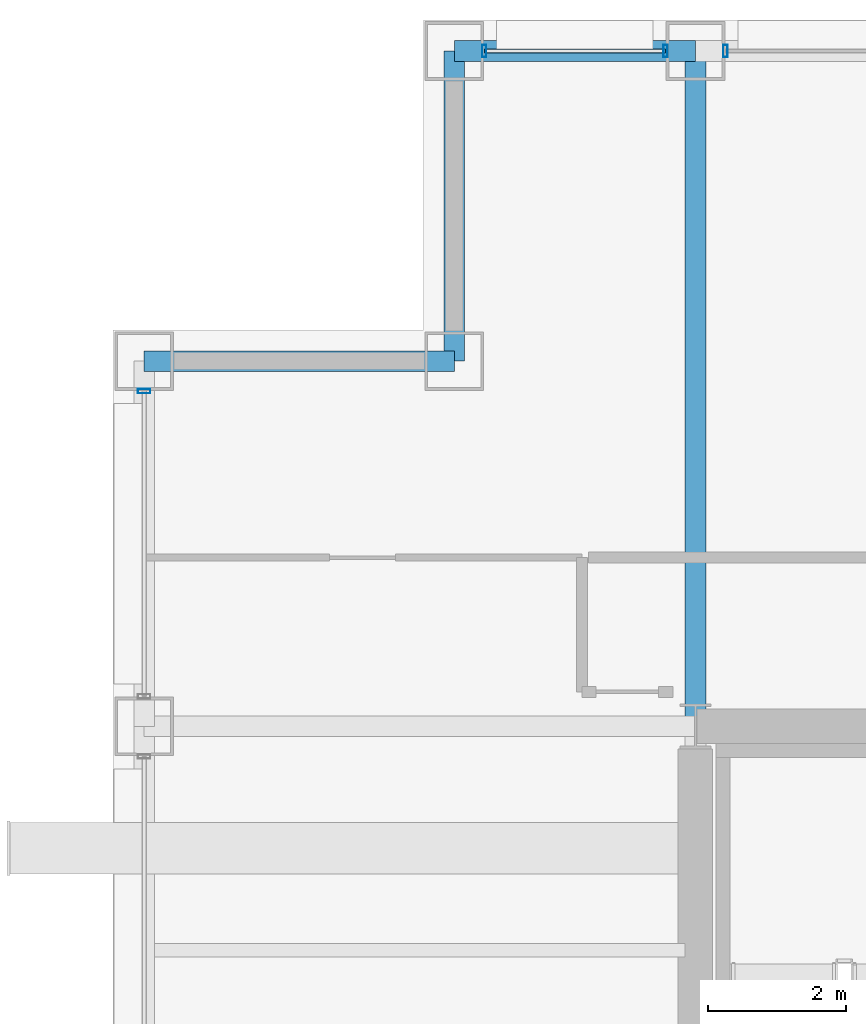
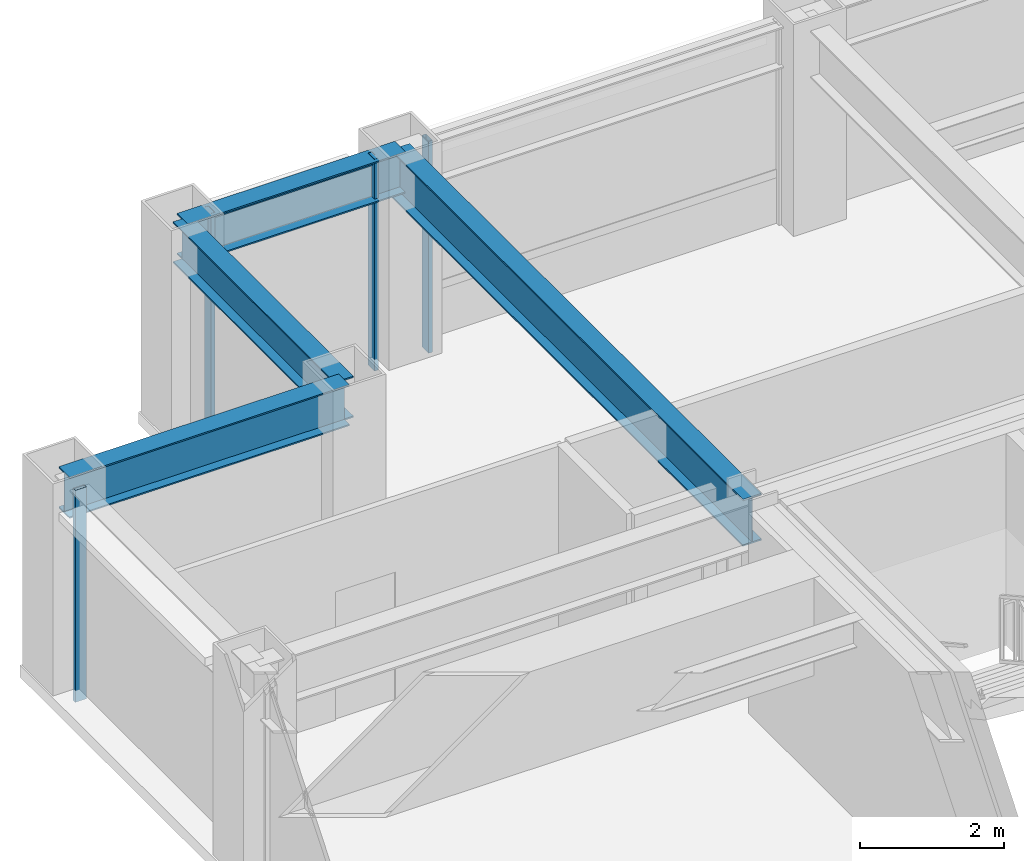
# One storey, part 18 of 28: 5 members, 4 beams, 3 elements without a shape of their own.
"""IFC4 building model written with IfcOpenShell, lengths in metres."""

from ifc_helpers import new_model, si_unit, direction, frame, origin, origin_2d, place, context, subcontext, project, spatial, hollow_rectangle, i_section, extrude, material, layer, layer_set, material_profile, profile_set, type_object, element, aggregate, save


model = new_model("IFC4")

# Units and contexts
model_context = context("Model", 3, precision=1e-05, world=origin(), true_north=direction((0.0, 1.0)))
body_context = subcontext(model_context, "Body", "Model", "MODEL_VIEW")
ifc_project = project(units=[si_unit("LENGTHUNIT", "METRE"), si_unit("AREAUNIT", "SQUARE_METRE"), si_unit("VOLUMEUNIT", "CUBIC_METRE"), si_unit("PLANEANGLEUNIT", "RADIAN"), si_unit("MASSUNIT", "GRAM", prefix="KILO")], contexts=[model_context])

# Site, building, storey
site_placement = place(None, origin())
site = spatial("IfcSite", under=ifc_project, at=site_placement, CompositionType="ELEMENT")
building_placement = place(site_placement, origin())
building = spatial("IfcBuilding", under=site, at=building_placement, Name="Brelmoor Portico Tower", CompositionType="ELEMENT")
storey_placement = place(building_placement, frame((0.0, 0.0, 91.800048828125)))
storey = spatial("IfcBuildingStorey", under=building, at=storey_placement, Name="L23", CompositionType="ELEMENT", Elevation=91.800048828125)

# Beams
ifc_material_1 = material(Name="Steel Q355B", Category="steel")
ifc_material_profile_1 = material_profile(ifc_material_1, i_section(OverallWidth=0.300048828125, OverallDepth=0.800048828125, WebThickness=0.013916015625, FlangeThickness=0.02587890625, at=origin_2d()), Name="HN 800x300x14x26")
ifc_profile_set_1 = profile_set([ifc_material_profile_1], Name="Steel Q355B")
beam_type_1 = type_object("IfcBeamType", Name="BM-PG-800", PredefinedType="BEAM", material=ifc_profile_set_1)
beam_1_placement = place(storey_placement, frame((-14.550048828125, 9.75, 3.0), z_axis=(0.0, 1.0, 0.0), x_axis=(-1.0, 0.0, 0.0)))
element("IfcBeam", 1, at=beam_1_placement, inside=storey, type_object=beam_type_1, Name="L23 Primary Floor Girder PG-04", PredefinedType="BEAM", context=body_context, shape_type="SweptSolid", body=[
    extrude(i_section(OverallWidth=0.300048828125, OverallDepth=0.800048828125, WebThickness=0.013916015625, FlangeThickness=0.02587890625, at=origin_2d()), origin(), (0.0, 0.0, 1.0), 9.800048828125),
])
ifc_material_profile_2 = material_profile(ifc_material_1, i_section(OverallWidth=0.300048828125, OverallDepth=0.699951171875, WebThickness=0.012939453125, FlangeThickness=0.02392578125, at=origin_2d()), Name="HN 700x300x13x24")
ifc_profile_set_2 = profile_set([ifc_material_profile_2], Name="Steel Q355B")
beam_type_2 = type_object("IfcBeamType", Name="BM-SP-700", PredefinedType="SPANDREL", material=ifc_profile_set_2)
beam_2_placement = place(storey_placement, frame((-22.550048828125, 15.050048828125, 3.050048828125), z_axis=(1.0, 0.0, 0.0), x_axis=(0.0, 1.0, 0.0)))
element("IfcBeam", 2, at=beam_2_placement, inside=storey, type_object=beam_type_2, Name="L23 Perimeter Spandrel Beam SP-08", PredefinedType="SPANDREL", context=body_context, shape_type="SweptSolid", body=[
    extrude(i_section(OverallWidth=0.300048828125, OverallDepth=0.699951171875, WebThickness=0.012939453125, FlangeThickness=0.02392578125, at=origin_2d()), origin(), (0.0, 0.0, 1.0), 4.5),
])
beam_3_placement = place(storey_placement, frame((-18.050048828125, 19.550048828125, 3.050048828125), z_axis=(1.0, 0.0, 0.0), x_axis=(0.0, 1.0, 0.0)))
element("IfcBeam", 3, at=beam_3_placement, inside=storey, type_object=beam_type_2, Name="L23 Perimeter Spandrel Beam SP-10", PredefinedType="SPANDREL", context=body_context, shape_type="SweptSolid", body=[
    extrude(i_section(OverallWidth=0.300048828125, OverallDepth=0.699951171875, WebThickness=0.012939453125, FlangeThickness=0.02392578125, at=origin_2d()), origin(), (0.0, 0.0, 1.0), 3.5),
])
beam_4_placement = place(storey_placement, frame((-18.050048828125, 15.050048828125, 3.050048828125), z_axis=(0.0, 1.0, 0.0), x_axis=(-1.0, 0.0, 0.0)))
element("IfcBeam", 4, at=beam_4_placement, inside=storey, type_object=beam_type_2, Name="L23 Perimeter Spandrel Beam SP-19", PredefinedType="SPANDREL", context=body_context, shape_type="SweptSolid", body=[
    extrude(i_section(OverallWidth=0.300048828125, OverallDepth=0.699951171875, WebThickness=0.012939453125, FlangeThickness=0.02392578125, at=origin_2d()), origin(), (0.0, 0.0, 1.0), 4.5),
])

# Curtain wall, members
ifc_material_2 = material(Name="Anodised Aluminium Alloy 6063-T6", Category="aluminium")
ifc_layer_1 = layer(ifc_material_2, 0.179931640625)
ifc_layer_set_1 = layer_set([ifc_layer_1], Name="Anodised Aluminium Alloy 6063-T6")
curtain_wall_type_1 = type_object("IfcCurtainWallType", Name="CW-TOWER-Z2-XB", PredefinedType="NOTDEFINED", material=ifc_layer_set_1)
curtain_wall_1_placement = place(storey_placement, origin())
curtain_wall_1 = element("IfcCurtainWall", 5, at=curtain_wall_1_placement, inside=storey, type_object=curtain_wall_type_1, Name="L23 Curtain Wall CW-L23-02-1", PredefinedType="NOTDEFINED")
ifc_material_profile_3 = material_profile(ifc_material_2, hollow_rectangle(XDim=0.06494140625, YDim=0.179931640625, WallThickness=0.00390625, at=origin_2d()), Name="ALU MULLION 65x180")
ifc_profile_set_3 = profile_set([ifc_material_profile_3], Name="Anodised Aluminium Alloy 6063-T6")
member_type_1 = type_object("IfcMemberType", Name="MB-CW-MULL-180", PredefinedType="MULLION", material=ifc_profile_set_3)
member_1_placement = place(storey_placement, frame((-17.614990234375, 19.550048828125, -0.199951171875), z_axis=(0.0, 0.0, 1.0), x_axis=(1.0, 0.0, 0.0)))
member_1 = element("IfcMember", 6, at=member_1_placement, type_object=member_type_1, Name="CW-L23-02-1 Mullion 00", PredefinedType="MULLION", context=body_context, shape_type="SweptSolid", body=[
    extrude(hollow_rectangle(XDim=0.06494140625, YDim=0.179931640625, WallThickness=0.00390625, at=origin_2d()), origin(), (0.0, 0.0, 1.0), 3.599853515625),
])
member_2_placement = place(storey_placement, frame((-14.985107421875, 19.550048828125, -0.199951171875), z_axis=(0.0, 0.0, 1.0), x_axis=(1.0, 0.0, 0.0)))
member_2 = element("IfcMember", 7, at=member_2_placement, type_object=member_type_1, Name="CW-L23-02-1 Mullion 01", PredefinedType="MULLION", context=body_context, shape_type="SweptSolid", body=[
    extrude(hollow_rectangle(XDim=0.06494140625, YDim=0.179931640625, WallThickness=0.00390625, at=origin_2d()), origin(), (0.0, 0.0, 1.0), 3.599853515625),
])

# Curtain wall, member
ifc_layer_2 = layer(ifc_material_2, 0.179931640625)
ifc_layer_set_2 = layer_set([ifc_layer_2], Name="Anodised Aluminium Alloy 6063-T6")
curtain_wall_type_2 = type_object("IfcCurtainWallType", Name="CW-TOWER-Z2", PredefinedType="NOTDEFINED", material=ifc_layer_set_2)
curtain_wall_2_placement = place(storey_placement, origin())
curtain_wall_2 = element("IfcCurtainWall", 8, at=curtain_wall_2_placement, inside=storey, type_object=curtain_wall_type_2, Name="L23 Curtain Wall CW-L23-02-2", PredefinedType="NOTDEFINED")
member_3_placement = place(storey_placement, frame((-14.114990234375, 19.550048828125, -0.199951171875), z_axis=(0.0, 0.0, 1.0), x_axis=(1.0, 0.0, 0.0)))
member_3 = element("IfcMember", 9, at=member_3_placement, type_object=member_type_1, Name="CW-L23-02-2 Mullion 00", PredefinedType="MULLION", context=body_context, shape_type="SweptSolid", body=[
    extrude(hollow_rectangle(XDim=0.06494140625, YDim=0.179931640625, WallThickness=0.00390625, at=origin_2d()), origin(), (0.0, 0.0, 1.0), 3.599853515625),
])
aggregate(curtain_wall_2, [member_3])

curtain_wall_3_placement = place(storey_placement, origin())
curtain_wall_3 = element("IfcCurtainWall", 10, at=curtain_wall_3_placement, inside=storey, type_object=curtain_wall_type_1, Name="L23 Curtain Wall CW-L23-03-3", PredefinedType="NOTDEFINED")
member_4_placement = place(storey_placement, frame((-22.550048828125, 14.614990234375, -0.199951171875), z_axis=(0.0, 0.0, 1.0), x_axis=(0.0, 1.0, 0.0)))
member_4 = element("IfcMember", 11, at=member_4_placement, type_object=member_type_1, Name="CW-L23-03-3 Mullion 01", PredefinedType="MULLION", context=body_context, shape_type="SweptSolid", body=[
    extrude(hollow_rectangle(XDim=0.06494140625, YDim=0.179931640625, WallThickness=0.00390625, at=origin_2d()), origin(), (0.0, 0.0, 1.0), 3.599853515625),
])
aggregate(curtain_wall_3, [member_4])

# Member
ifc_material_profile_4 = material_profile(ifc_material_2, hollow_rectangle(XDim=0.06494140625, YDim=0.139892578125, WallThickness=0.00390625, at=origin_2d()), Name="ALU TRANSOM 65x140")
ifc_profile_set_4 = profile_set([ifc_material_profile_4], Name="Anodised Aluminium Alloy 6063-T6")
member_type_2 = type_object("IfcMemberType", Name="MB-CW-TRAN-140", PredefinedType="USERDEFINED", material=ifc_profile_set_4)
member_5_placement = place(storey_placement, frame((-17.614990234375, 19.550048828125, 3.329833984375), z_axis=(1.0, 0.0, 0.0), x_axis=(0.0, 1.0, 0.0)))
member_5 = element("IfcMember", 12, at=member_5_placement, type_object=member_type_2, Name="CW-L23-02-1 Transom 1-00", ObjectType="TRANSOM", PredefinedType="USERDEFINED", context=body_context, shape_type="SweptSolid", body=[
    extrude(hollow_rectangle(XDim=0.06494140625, YDim=0.139892578125, WallThickness=0.00390625, at=origin_2d()), origin(), (0.0, 0.0, 1.0), 2.6298828125),
])

aggregate(curtain_wall_1, [member_1, member_2, member_5])

save(model, "model.ifc")
